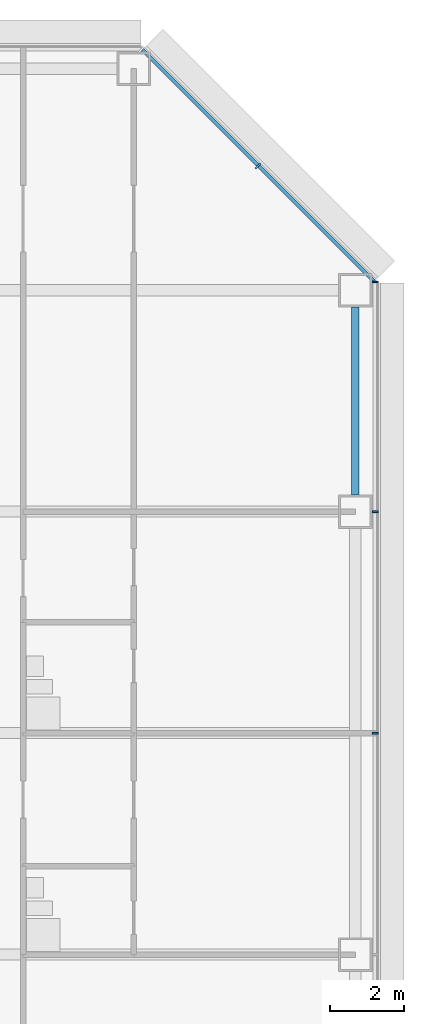
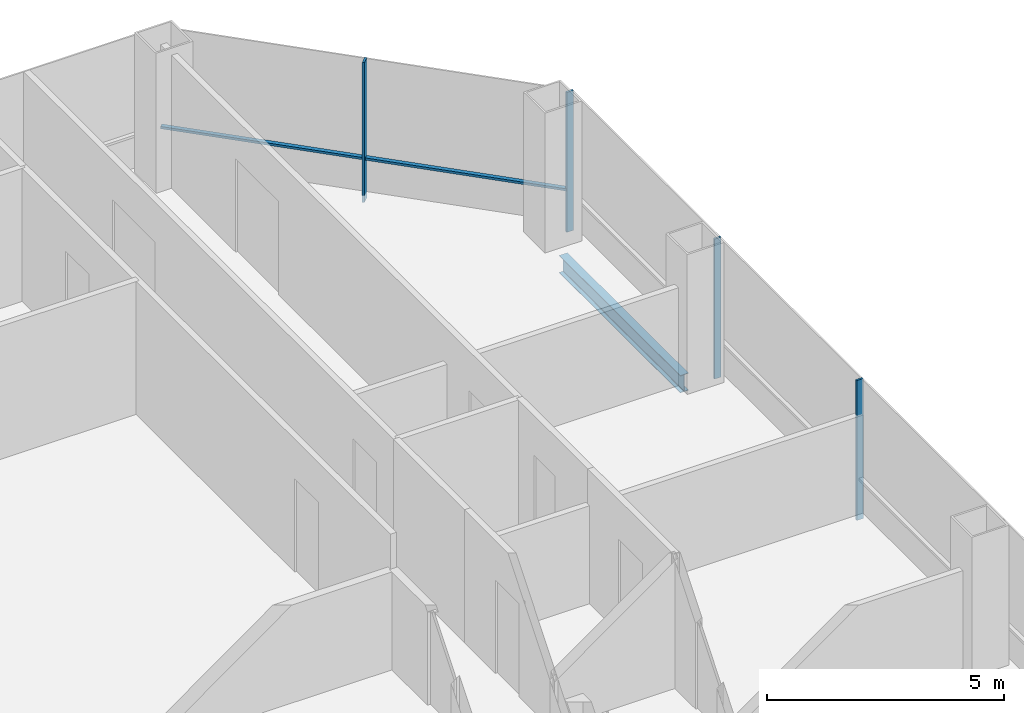
# One storey, part 18 of 26: 5 members, 1 beam, 2 elements without a shape of their own.
"""IFC4 building model written with IfcOpenShell, lengths in metres."""

import ifcopenshell
import ifcopenshell.guid

model = None  # the IFC model being written
_history = None  # IfcOwnerHistory: only IFC2X3 demands one
_inside = {}  # id of a spatial element -> (the spatial element, [elements in it])
_under = {}  # id of a project, library or spatial element -> (it, [spatial elements below it])
_declared = {}  # id of a project -> (the project, [libraries it declares])
_typed = {}  # id of a type object -> (the type object, [elements of that type])
_made_of = {}  # id of a material, layer set ... -> (it, [elements and type objects made of it])


def new_model(schema):
    """Start an empty IFC model of exactly this schema.

    Asked for "IFC4X3", IfcOpenShell would pick the latest addendum, in which some entities
    have other attributes; the version numbers below select the first issue.
    IFC2X3 requires an IfcOwnerHistory on every rooted entity: one is made here for all.
    """
    global model, _history
    if schema == "IFC4X3":
        model = ifcopenshell.file(schema_version=(4, 3, 0, 0))
    else:
        model = ifcopenshell.file(schema=schema)
    _inside.clear()
    _under.clear()
    _declared.clear()
    _typed.clear()
    _made_of.clear()
    _history = None
    if model.schema == "IFC2X3":
        org = make("IfcOrganization", Name="unknown")
        user = make(
            "IfcPersonAndOrganization",
            ThePerson=make("IfcPerson", FamilyName="unknown"),
            TheOrganization=org,
        )
        app = make(
            "IfcApplication",
            ApplicationDeveloper=org,
            Version="unknown",
            ApplicationFullName="unknown",
            ApplicationIdentifier="unknown",
        )
        _history = make(
            "IfcOwnerHistory",
            OwningUser=user,
            OwningApplication=app,
            ChangeAction="ADDED",
            CreationDate=0,
        )
    return model


def make(cls, **values):
    """One entity of the class cls with the attributes given. An attribute that is None is left unset."""
    return model.create_entity(
        cls, **{name: value for name, value in values.items() if value is not None}
    )


def rooted(cls, **values):
    """An entity with a GlobalId (a new one), such as an element, a storey or a relation."""
    return make(cls, GlobalId=ifcopenshell.guid.new(), OwnerHistory=_history, **values)


def si_unit(unit_type, name, prefix=None):
    """IfcSIUnit, for example si_unit("LENGTHUNIT", "METRE", prefix="MILLI")."""
    return make("IfcSIUnit", UnitType=unit_type, Prefix=prefix, Name=name)


def assignment(units):
    """IfcUnitAssignment: the units of a project."""
    return None if units is None else make("IfcUnitAssignment", Units=units)


def point(xyz):
    """IfcCartesianPoint."""
    return None if xyz is None else make("IfcCartesianPoint", Coordinates=xyz)


def direction(xyz):
    """IfcDirection."""
    return None if xyz is None else make("IfcDirection", DirectionRatios=xyz)


def frame(location, z_axis=None, x_axis=None):
    """IfcAxis2Placement3D, a coordinate frame: its origin and axes. An axis left out is left unset."""
    return make(
        "IfcAxis2Placement3D",
        Location=point(location),
        Axis=direction(z_axis),
        RefDirection=direction(x_axis),
    )


def frame_2d(location, x_axis=None):
    """IfcAxis2Placement2D, a coordinate frame in the plane: its origin and x axis."""
    return make(
        "IfcAxis2Placement2D", Location=point(location), RefDirection=direction(x_axis)
    )


def origin():
    """The frame at (0, 0, 0) with its axes left unset."""
    return frame((0.0, 0.0, 0.0))


def origin_2d():
    """The frame at (0, 0) in the plane with its x axis left unset."""
    return frame_2d((0.0, 0.0))


def place(relative_to, where):
    """IfcLocalPlacement: puts the frame where relative to a parent placement (None: the world)."""
    return make(
        "IfcLocalPlacement", PlacementRelTo=relative_to, RelativePlacement=where
    )


def context(
    kind, dimensions, precision=None, world=None, true_north=None, identifier=None
):
    """IfcGeometricRepresentationContext, for example the 3D "Model" context."""
    return make(
        "IfcGeometricRepresentationContext",
        ContextIdentifier=identifier,
        ContextType=kind,
        CoordinateSpaceDimension=dimensions,
        Precision=precision,
        WorldCoordinateSystem=world,
        TrueNorth=true_north,
    )


def subcontext(parent, identifier, kind, view, scale=None):
    """IfcGeometricRepresentationSubContext, for example "Body" below "Model"."""
    return make(
        "IfcGeometricRepresentationSubContext",
        ContextIdentifier=identifier,
        ContextType=kind,
        ParentContext=parent,
        TargetScale=scale,
        TargetView=view,
    )


def project(units=None, contexts=None):
    """IfcProject with its units and contexts."""
    return rooted(
        "IfcProject",
        Name="project",
        RepresentationContexts=contexts,
        UnitsInContext=assignment(units),
    )


def spatial(cls, under=None, at=None, **own):
    """A site, building, storey or space (cls), placed at a placement, below another one or the project."""
    s = rooted(cls, ObjectPlacement=at, **own)
    if under is not None:
        _under.setdefault(under.id(), (under, []))[1].append(s)
    return s


def profile(cls, at=None, kind="AREA", **sizes):
    """A parametric profile (cls). Its sizes go by their IFC names, for example OverallWidth=200.0."""
    return make(cls, ProfileType=kind, Position=at, **sizes)


def rectangle(**sizes):
    """IfcRectangleProfileDef."""
    return profile("IfcRectangleProfileDef", **sizes)


def i_section(**sizes):
    """IfcIShapeProfileDef."""
    return profile("IfcIShapeProfileDef", **sizes)


def extrude(swept, where, along, depth):
    """IfcExtrudedAreaSolid: the profile swept, set in the frame where, extruded along a direction by depth."""
    return make(
        "IfcExtrudedAreaSolid",
        SweptArea=swept,
        Position=where,
        ExtrudedDirection=direction(along),
        Depth=depth,
    )


def shape(context_of_items, identifier, shape_type, items):
    """IfcShapeRepresentation: the items that make up one representation, for example the "Body"."""
    return make(
        "IfcShapeRepresentation",
        ContextOfItems=context_of_items,
        RepresentationIdentifier=identifier,
        RepresentationType=shape_type,
        Items=items,
    )


def material(Name=None, Category=None):
    """IfcMaterial."""
    return make("IfcMaterial", Name=Name, Category=Category)


def material_profile(
    of_material, cross_section, Name=None, Category=None, Priority=None
):
    """IfcMaterialProfile: a cross section and its material."""
    return make(
        "IfcMaterialProfile",
        Name=Name,
        Material=of_material,
        Profile=cross_section,
        Priority=Priority,
        Category=Category,
    )


def profile_set(profiles, Name=None, composite=None):
    """IfcMaterialProfileSet."""
    return make(
        "IfcMaterialProfileSet",
        Name=Name,
        MaterialProfiles=profiles,
        CompositeProfile=composite,
    )


def made_of(thing, what):
    """Note that an element or type object is made of a material, layer set ...; save() writes the relation."""
    if what is not None:
        _made_of.setdefault(what.id(), (what, []))[1].append(thing)
    return thing


def type_object(cls, material=None, **own):
    """A type object (cls), such as IfcWallType, which elements share."""
    return made_of(rooted(cls, **own), material)


def element(
    cls,
    number,
    at=None,
    inside=None,
    cuts=None,
    type_object=None,
    material=None,
    context=None,
    identifier="Body",
    shape_type=None,
    held_by="IfcProductDefinitionShape",
    body=None,
    shapes=None,
    **own,
):
    """One element of the class cls, such as IfcWall. Its Tag is "e" and its number.

    at: its placement. inside: the storey or other place that contains it. cuts: it is an
    opening in that element (IfcRelVoidsElement). A single representation is given by context,
    identifier, shape_type and body (its items); several are given by shapes. held_by: the class
    of the entity that holds the representations. save() writes the other relations.
    """
    e = rooted(cls, Tag="e%d" % number, ObjectPlacement=at, **own)
    if body is not None:
        shapes = [shape(context, identifier, shape_type, body)]
    if shapes is not None:
        e.Representation = make(held_by, Representations=shapes)
    if inside is not None:
        _inside.setdefault(inside.id(), (inside, []))[1].append(e)
    if cuts is not None:
        rooted(
            "IfcRelVoidsElement", RelatingBuildingElement=cuts, RelatedOpeningElement=e
        )
    if type_object is not None:
        _typed.setdefault(type_object.id(), (type_object, []))[1].append(e)
    return made_of(e, material)


def aggregate(whole, parts):
    """IfcRelAggregates: a whole, such as a stair, and the parts it consists of."""
    return rooted("IfcRelAggregates", RelatingObject=whole, RelatedObjects=parts)


def save(model, path):
    """Write the relations noted so far, then the file.

    IfcRelAggregates (storeys below a building ...), IfcRelContainedInSpatialStructure (elements
    in a storey), IfcRelDefinesByType, IfcRelAssociatesMaterial and IfcRelDeclares: one each for
    every whole, place, type object, material and project.
    """
    for whole, parts in _under.values():
        aggregate(whole, parts)
    for where, things in _inside.values():
        rooted(
            "IfcRelContainedInSpatialStructure",
            RelatedElements=things,
            RelatingStructure=where,
        )
    for kind, things in _typed.values():
        rooted("IfcRelDefinesByType", RelatedObjects=things, RelatingType=kind)
    for what, things in _made_of.values():
        rooted("IfcRelAssociatesMaterial", RelatedObjects=things, RelatingMaterial=what)
    for by, libraries in _declared.values():
        rooted("IfcRelDeclares", RelatingContext=by, RelatedDefinitions=libraries)
    model.write(path)


model = new_model("IFC4")

# Units and contexts
model_context = context("Model", 3, precision=1e-05, world=origin(), true_north=direction((0.0, 1.0)))
body_context = subcontext(model_context, "Body", "Model", "MODEL_VIEW")
ifc_project = project(units=[si_unit("LENGTHUNIT", "METRE"), si_unit("AREAUNIT", "SQUARE_METRE"), si_unit("VOLUMEUNIT", "CUBIC_METRE"), si_unit("PLANEANGLEUNIT", "RADIAN"), si_unit("MASSUNIT", "GRAM", prefix="KILO")], contexts=[model_context])

# Site, building, storey
site_placement = place(None, origin())
site = spatial("IfcSite", under=ifc_project, at=site_placement, CompositionType="ELEMENT")
building_placement = place(site_placement, origin())
building = spatial("IfcBuilding", under=site, at=building_placement, Name="Sorahane Residences", CompositionType="ELEMENT")
storey_placement = place(building_placement, frame((0.0, 0.0, 64.199951171875)))
storey = spatial("IfcBuildingStorey", under=building, at=storey_placement, Name="L12", CompositionType="ELEMENT", Elevation=64.199951171875)

# Curtain wall, members
ifc_material_1 = material(Name="Dark low-e glass and black anodised aluminium", Category="aluminium")
curtain_wall_type_1 = type_object("IfcCurtainWallType", Name="Curtain wall CW-1 Typical unitised wall", PredefinedType="NOTDEFINED", material=ifc_material_1)
curtain_wall_1_placement = place(storey_placement, origin())
curtain_wall_1 = element("IfcCurtainWall", 1, at=curtain_wall_1_placement, inside=storey, type_object=curtain_wall_type_1, Name="CW-1 curtain wall L12 E1", PredefinedType="NOTDEFINED")
ifc_material_2 = material(Name="Black anodised aluminium", Category="aluminium")
ifc_material_profile_1 = material_profile(ifc_material_2, rectangle(XDim=0.159912109375, YDim=0.050048828125, at=origin_2d()), Name="Curtain wall mullion CW-1 black anodised aluminium 50x160")
ifc_profile_set_1 = profile_set([ifc_material_profile_1], Name="Black anodised aluminium")
member_type_1 = type_object("IfcMemberType", Name="Curtain wall mullion CW-1 black anodised aluminium 50x160", PredefinedType="MULLION", material=ifc_profile_set_1)
member_1_placement = place(storey_placement, frame((66.5400390625, 30.0, -0.179931640625), z_axis=(0.0, 0.0, 1.0), x_axis=(1.0, 0.0, 0.0)))
member_1 = element("IfcMember", 2, at=member_1_placement, type_object=member_type_1, Name="CW-1 mullion L12 E1.5", PredefinedType="MULLION", context=body_context, shape_type="SweptSolid", body=[
    extrude(rectangle(XDim=0.159912109375, YDim=0.050048828125, at=origin_2d()), origin(), (0.0, 0.0, 1.0), 3.60009765625),
])
member_2_placement = place(storey_placement, frame((66.5400390625, 36.0, -0.179931640625), z_axis=(0.0, 0.0, 1.0), x_axis=(1.0, 0.0, 0.0)))
member_2 = element("IfcMember", 3, at=member_2_placement, type_object=member_type_1, Name="CW-1 mullion L12 E1.6", PredefinedType="MULLION", context=body_context, shape_type="SweptSolid", body=[
    extrude(rectangle(XDim=0.159912109375, YDim=0.050048828125, at=origin_2d()), origin(), (0.0, 0.0, 1.0), 3.60009765625),
])
member_3_placement = place(storey_placement, frame((66.5400390625, 42.2236328125, -0.179931640625), z_axis=(0.0, 0.0, 1.0), x_axis=(1.0, 0.0, 0.0)))
member_3 = element("IfcMember", 4, at=member_3_placement, type_object=member_type_1, Name="CW-1 mullion L12 E1.7", PredefinedType="MULLION", context=body_context, shape_type="SweptSolid", body=[
    extrude(rectangle(XDim=0.159912109375, YDim=0.050048828125, at=origin_2d()), origin(), (0.0, 0.0, 1.0), 3.60009765625),
])
aggregate(curtain_wall_1, [member_1, member_2, member_3])

ifc_material_3 = material(Name="Dark low-e glass and black anodised aluminium", Category="aluminium")
curtain_wall_type_2 = type_object("IfcCurtainWallType", Name="Curtain wall CW-2 Chamfer unitised wall", PredefinedType="NOTDEFINED", material=ifc_material_3)
curtain_wall_2_placement = place(storey_placement, origin())
curtain_wall_2 = element("IfcCurtainWall", 5, at=curtain_wall_2_placement, inside=storey, type_object=curtain_wall_type_2, Name="CW-2 curtain wall L12 NE1", PredefinedType="NOTDEFINED")
ifc_material_4 = material(Name="Black anodised aluminium", Category="aluminium")
ifc_material_profile_2 = material_profile(ifc_material_4, rectangle(XDim=0.199951171875, YDim=0.050048828125, at=origin_2d()), Name="Curtain wall mullion CW-2 black anodised aluminium 50x200")
ifc_profile_set_2 = profile_set([ifc_material_profile_2], Name="Black anodised aluminium")
member_type_2 = type_object("IfcMemberType", Name="Curtain wall mullion CW-2 black anodised aluminium 50x200", PredefinedType="MULLION", material=ifc_profile_set_2)
member_4_placement = place(storey_placement, frame((63.36767578125, 45.36767578125, -0.179931640625), z_axis=(0.0, 0.0, 1.0), x_axis=(0.707106781187, 0.707106781187, 0.0)))
member_4 = element("IfcMember", 6, at=member_4_placement, type_object=member_type_2, Name="CW-2 mullion L12 NE1.2", PredefinedType="MULLION", context=body_context, shape_type="SweptSolid", body=[
    extrude(rectangle(XDim=0.199951171875, YDim=0.050048828125, at=origin_2d()), origin(), (0.0, 0.0, 1.0), 3.60009765625),
])
ifc_material_5 = material(Name="Black anodised aluminium", Category="aluminium")
ifc_material_profile_3 = material_profile(ifc_material_5, rectangle(XDim=0.10009765625, YDim=0.06005859375, at=origin_2d()), Name="Curtain wall transom CW-2 black anodised aluminium 60x100")
ifc_profile_set_3 = profile_set([ifc_material_profile_3], Name="Black anodised aluminium")
member_type_3 = type_object("IfcMemberType", Name="Curtain wall transom CW-2 black anodised aluminium 60x100", PredefinedType="USERDEFINED", material=ifc_profile_set_3)
member_5_placement = place(storey_placement, frame((66.51513671875, 42.234375, 0.900146484375), z_axis=(-0.707106781187, 0.707106781187, 0.0), x_axis=(-0.707106781187, -0.707106781187, 0.0)))
member_5 = element("IfcMember", 7, at=member_5_placement, type_object=member_type_3, Name="CW-2 transom L12 NE1", ObjectType="TRANSOM", PredefinedType="USERDEFINED", context=body_context, shape_type="SweptSolid", body=[
    extrude(rectangle(XDim=0.10009765625, YDim=0.06005859375, at=origin_2d()), origin(), (0.0, 0.0, 1.0), 8.88232421875),
])
aggregate(curtain_wall_2, [member_4, member_5])

# Beam
ifc_material_6 = material(Name="Steel Q355B", Category="steel")
ifc_material_profile_4 = material_profile(ifc_material_6, i_section(OverallWidth=0.199951171875, OverallDepth=0.449951171875, WebThickness=0.009033203125, FlangeThickness=0.013916015625, FilletRadius=0.02001953125, at=origin_2d()), Name="HN 450x200x9x14")
ifc_profile_set_4 = profile_set([ifc_material_profile_4], Name="Steel Q355B")
beam_type = type_object("IfcBeamType", Name="Steel floor beam HN 450x200x9x14 Q355B", PredefinedType="BEAM", material=ifc_profile_set_4)
beam_placement = place(storey_placement, frame((66.0, 36.449951171875, -0.405029296875), z_axis=(0.0, 1.0, 0.0), x_axis=(-1.0, 0.0, 0.0)))
element("IfcBeam", 8, at=beam_placement, inside=storey, type_object=beam_type, Name="Beam L12 060", PredefinedType="BEAM", context=body_context, shape_type="SweptSolid", body=[
    extrude(i_section(OverallWidth=0.199951171875, OverallDepth=0.449951171875, WebThickness=0.009033203125, FlangeThickness=0.013916015625, FilletRadius=0.02001953125, at=origin_2d()), origin(), (0.0, 0.0, 1.0), 5.10009765625),
])

save(model, "model.ifc")
